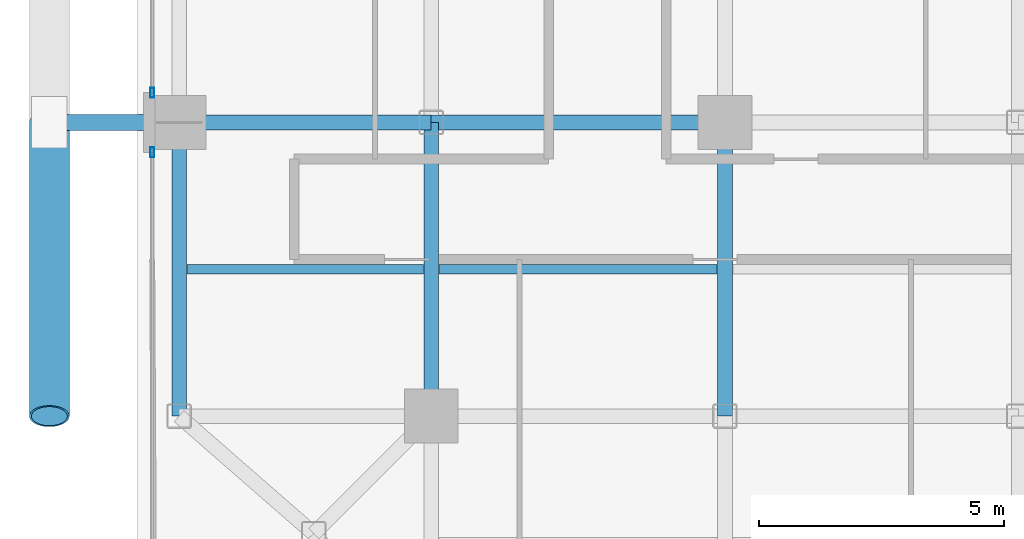
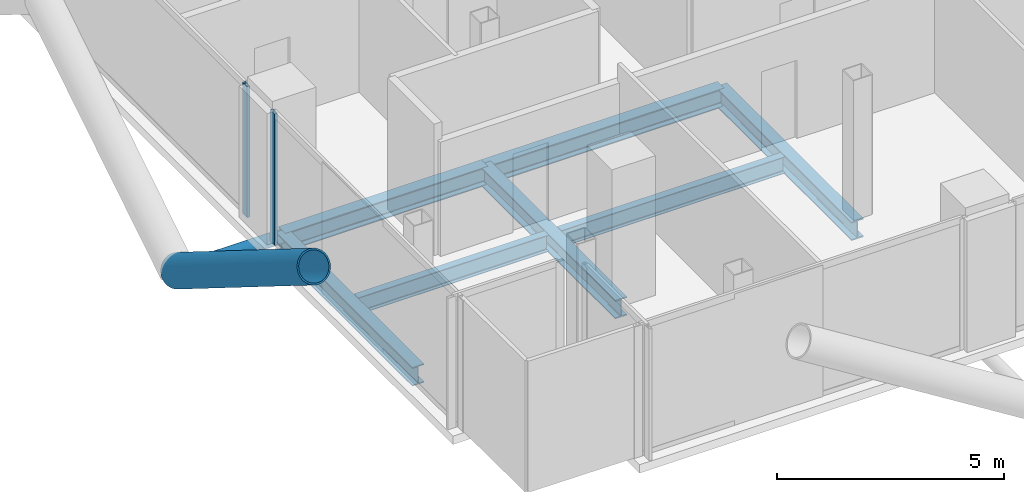
# One storey, part 3 of 28: 7 beams, 4 members, 2 elements without a shape of their own.
"""IFC4 building model written with IfcOpenShell, lengths in metres."""

from ifc_helpers import new_model, si_unit, direction, frame, origin, origin_2d, place, context, subcontext, project, spatial, hollow_rectangle, hollow_circle, i_section, extrude, material, layer, layer_set, material_profile, profile_set, type_object, element, aggregate, save


model = new_model("IFC4")

# Units and contexts
model_context = context("Model", 3, precision=1e-05, world=origin(), true_north=direction((0.0, 1.0)))
body_context = subcontext(model_context, "Body", "Model", "MODEL_VIEW")
ifc_project = project(units=[si_unit("LENGTHUNIT", "METRE"), si_unit("AREAUNIT", "SQUARE_METRE"), si_unit("VOLUMEUNIT", "CUBIC_METRE"), si_unit("PLANEANGLEUNIT", "RADIAN"), si_unit("MASSUNIT", "GRAM", prefix="KILO"), si_unit("THERMODYNAMICTEMPERATUREUNIT", "KELVIN"), si_unit("POWERUNIT", "WATT")], contexts=[model_context])

# Site, building, storey
site_placement = place(None, origin())
site = spatial("IfcSite", under=ifc_project, at=site_placement, CompositionType="ELEMENT")
building_placement = place(site_placement, origin())
building = spatial("IfcBuilding", under=site, at=building_placement, Name="Svarakhadi Broadcast Tower", CompositionType="ELEMENT")
storey_placement = place(building_placement, frame((0.0, 0.0, 138.14990234375)))
storey = spatial("IfcBuildingStorey", under=building, at=storey_placement, Name="L33", CompositionType="ELEMENT", Elevation=138.14990234375)

# Beams
ifc_material_1 = material(Name="Steel S355J2 (IS 2062 E350C)", Category="steel")
ifc_material_profile_1 = material_profile(ifc_material_1, i_section(OverallWidth=0.18994140625, OverallDepth=0.449951171875, WebThickness=0.009521484375, FlangeThickness=0.0146484375, FilletRadius=0.02099609375, at=origin_2d()), Name="NPB 450x190x78")
ifc_profile_set_1 = profile_set([ifc_material_profile_1], Name="Steel S355J2 (IS 2062 E350C)")
beam_type_1 = type_object("IfcBeamType", Name="Beam_NPB450", PredefinedType="BEAM", material=ifc_profile_set_1)
beam_1_placement = place(storey_placement, frame((1.010009765625, 9.0, -0.449951171875), z_axis=(1.0, 0.0, 0.0), x_axis=(0.0, 1.0, 0.0)))
element("IfcBeam", 1, at=beam_1_placement, inside=storey, type_object=beam_type_1, Name="L33 Secondary Composite Beam SB001", PredefinedType="BEAM", context=body_context, shape_type="SweptSolid", body=[
    extrude(i_section(OverallWidth=0.18994140625, OverallDepth=0.449951171875, WebThickness=0.009521484375, FlangeThickness=0.0146484375, FilletRadius=0.02099609375, at=origin_2d()), origin(), (0.0, 0.0, 1.0), 4.830078125),
])
beam_2_placement = place(storey_placement, frame((6.159912109375, 9.0, -0.449951171875), z_axis=(1.0, 0.0, 0.0), x_axis=(0.0, 1.0, 0.0)))
element("IfcBeam", 2, at=beam_2_placement, inside=storey, type_object=beam_type_1, Name="L33 Secondary Composite Beam SB007", PredefinedType="BEAM", context=body_context, shape_type="SweptSolid", body=[
    extrude(i_section(OverallWidth=0.18994140625, OverallDepth=0.449951171875, WebThickness=0.009521484375, FlangeThickness=0.0146484375, FilletRadius=0.02099609375, at=origin_2d()), origin(), (0.0, 0.0, 1.0), 5.68017578125),
])

# Curtain wall, member
ifc_material_2 = material(Name="Anodised Bronze Aluminium AA 6063-T6", Category="aluminium")
ifc_layer = layer(ifc_material_2, 0.199951171875)
ifc_layer_set = layer_set([ifc_layer], Name="Anodised Bronze Aluminium AA 6063-T6")
curtain_wall_type = type_object("IfcCurtainWallType", Name="CW_Sys_03", PredefinedType="NOTDEFINED", material=ifc_layer_set)
curtain_wall_1_placement = place(storey_placement, origin())
curtain_wall_1 = element("IfcCurtainWall", 3, at=curtain_wall_1_placement, inside=storey, type_object=curtain_wall_type, Name="L33 West Curtain Wall 02 Bay 1", PredefinedType="NOTDEFINED")
ifc_material_profile_2 = material_profile(ifc_material_2, hollow_rectangle(XDim=0.074951171875, YDim=0.199951171875, WallThickness=0.005615234375, at=origin_2d()), Name="ALU MULLION 200x75x6")
ifc_profile_set_2 = profile_set([ifc_material_profile_2], Name="Anodised Bronze Aluminium AA 6063-T6")
member_type_1 = type_object("IfcMemberType", Name="CW_Sys_03_Mul", PredefinedType="MULLION", material=ifc_profile_set_2)
member_1_placement = place(storey_placement, frame((0.300048828125, 11.392578125, 0.0), z_axis=(0.0, 0.0, 1.0), x_axis=(-1.0, 0.0, 0.0)))
member_1 = element("IfcMember", 4, at=member_1_placement, type_object=member_type_1, Name="CW-03 mullion 2", PredefinedType="MULLION", context=body_context, shape_type="SweptSolid", body=[
    extrude(hollow_rectangle(XDim=0.074951171875, YDim=0.199951171875, WallThickness=0.005615234375, at=origin_2d()), origin(), (0.0, 0.0, 1.0), 3.525146484375),
])
aggregate(curtain_wall_1, [member_1])

curtain_wall_2_placement = place(storey_placement, origin())
curtain_wall_2 = element("IfcCurtainWall", 5, at=curtain_wall_2_placement, inside=storey, type_object=curtain_wall_type, Name="L33 West Curtain Wall 02 Bay 2", PredefinedType="NOTDEFINED")
member_2_placement = place(storey_placement, frame((0.300048828125, 12.607421875, 0.0), z_axis=(0.0, 0.0, 1.0), x_axis=(-1.0, 0.0, 0.0)))
member_2 = element("IfcMember", 6, at=member_2_placement, type_object=member_type_1, Name="CW-03 mullion 1", PredefinedType="MULLION", context=body_context, shape_type="SweptSolid", body=[
    extrude(hollow_rectangle(XDim=0.074951171875, YDim=0.199951171875, WallThickness=0.005615234375, at=origin_2d()), origin(), (0.0, 0.0, 1.0), 3.525146484375),
])
aggregate(curtain_wall_2, [member_2])

# Members
ifc_material_3 = material(Name="Steel S460ML (IS 2062 E450BR)", Category="steel")
ifc_material_profile_3 = material_profile(ifc_material_3, hollow_circle(Radius=0.406494140625, WallThickness=0.0400390625, at=origin_2d()), Name="CHS 813x40")
ifc_profile_set_3 = profile_set([ifc_material_profile_3], Name="Steel S460ML (IS 2062 E450BR)")
member_type_2 = type_object("IfcMemberType", Name="Exo_Brace_CHS813", PredefinedType="BRACE", material=ifc_profile_set_3)
member_3_placement = place(storey_placement, frame((-1.800048828125, 12.0, -0.386962890625), z_axis=(0.0, -0.847998304005, 0.529998940003), x_axis=(1.0, 0.0, 0.0)))
element("IfcMember", 7, at=member_3_placement, inside=storey, type_object=member_type_2, Name="L33 Exposed Bronze Exoskeleton Diagonal W05", PredefinedType="BRACE", context=body_context, shape_type="SweptSolid", body=[
    extrude(hollow_circle(Radius=0.406494140625, WallThickness=0.0400390625, at=origin_2d()), origin(), (0.0, 0.0, 1.0), 7.075439453125),
])
ifc_material_profile_4 = material_profile(ifc_material_3, hollow_circle(Radius=0.161865234375, WallThickness=0.01611328125, at=origin_2d()), Name="CHS 323.9x16")
ifc_profile_set_4 = profile_set([ifc_material_profile_4], Name="Steel S460ML (IS 2062 E450BR)")
member_type_3 = type_object("IfcMemberType", Name="Exo_Radial_Strut_Z2", PredefinedType="STRUT", material=ifc_profile_set_4)
member_4_placement = place(storey_placement, frame((-1.800048828125, 12.0, -0.386962890625), z_axis=(1.0, 0.0, 0.0), x_axis=(0.0, 1.0, 0.0)))
element("IfcMember", 8, at=member_4_placement, inside=storey, type_object=member_type_3, Name="L33 Exoskeleton Radial Tie Strut W03", PredefinedType="STRUT", context=body_context, shape_type="SweptSolid", body=[
    extrude(hollow_circle(Radius=0.161865234375, WallThickness=0.01611328125, at=origin_2d()), origin(), (0.0, 0.0, 1.0), 2.650146484375),
])

# Beams
ifc_material_profile_5 = material_profile(ifc_material_1, i_section(OverallWidth=0.300048828125, OverallDepth=0.5, WebThickness=0.014404296875, FlangeThickness=0.028076171875, FilletRadius=0.027099609375, at=origin_2d()), Name="WPB 500x300x187")
ifc_profile_set_5 = profile_set([ifc_material_profile_5], Name="Steel S355J2 (IS 2062 E350C)")
beam_type_2 = type_object("IfcBeamType", Name="Girder_WPB500", PredefinedType="USERDEFINED", material=ifc_profile_set_5)
beam_3_placement = place(storey_placement, frame((0.85009765625, 12.0, -0.474853515625), z_axis=(1.0, 0.0, 0.0), x_axis=(0.0, 1.0, 0.0)))
element("IfcBeam", 9, at=beam_3_placement, inside=storey, type_object=beam_type_2, Name="L33 Primary E-W Girder G017", ObjectType="GIRDER", PredefinedType="USERDEFINED", context=body_context, shape_type="SweptSolid", body=[
    extrude(i_section(OverallWidth=0.300048828125, OverallDepth=0.5, WebThickness=0.014404296875, FlangeThickness=0.028076171875, FilletRadius=0.027099609375, at=origin_2d()), origin(), (0.0, 0.0, 1.0), 5.14990234375),
])
for number, where, z_axis, x_axis, name in (
    (10, (6.0, 12.0, -0.474853515625), (1.0, 0.0, 0.0), (0.0, 1.0, 0.0), "L33 Primary E-W Girder G018"),
    (11, (0.85009765625, 6.0, -0.474853515625), (0.0, 1.0, 0.0), (-1.0, 0.0, 0.0), "L33 Primary N-S Girder G040"),
    (12, (6.0, 6.0, -0.474853515625), (0.0, 1.0, 0.0), (-1.0, 0.0, 0.0), "L33 Primary N-S Girder G046"),
    (13, (12.0, 6.0, -0.474853515625), (0.0, 1.0, 0.0), (-1.0, 0.0, 0.0), "L33 Primary N-S Girder G052"),
):
    element("IfcBeam", number, at=place(storey_placement, frame(where, z_axis=z_axis, x_axis=x_axis)), inside=storey, type_object=beam_type_2, Name=name, ObjectType="GIRDER", PredefinedType="USERDEFINED", context=body_context, shape_type="SweptSolid", body=[
        extrude(i_section(OverallWidth=0.300048828125, OverallDepth=0.5, WebThickness=0.014404296875, FlangeThickness=0.028076171875, FilletRadius=0.027099609375, at=origin_2d()), origin(), (0.0, 0.0, 1.0), 6.0),
    ])

save(model, "model.ifc")
